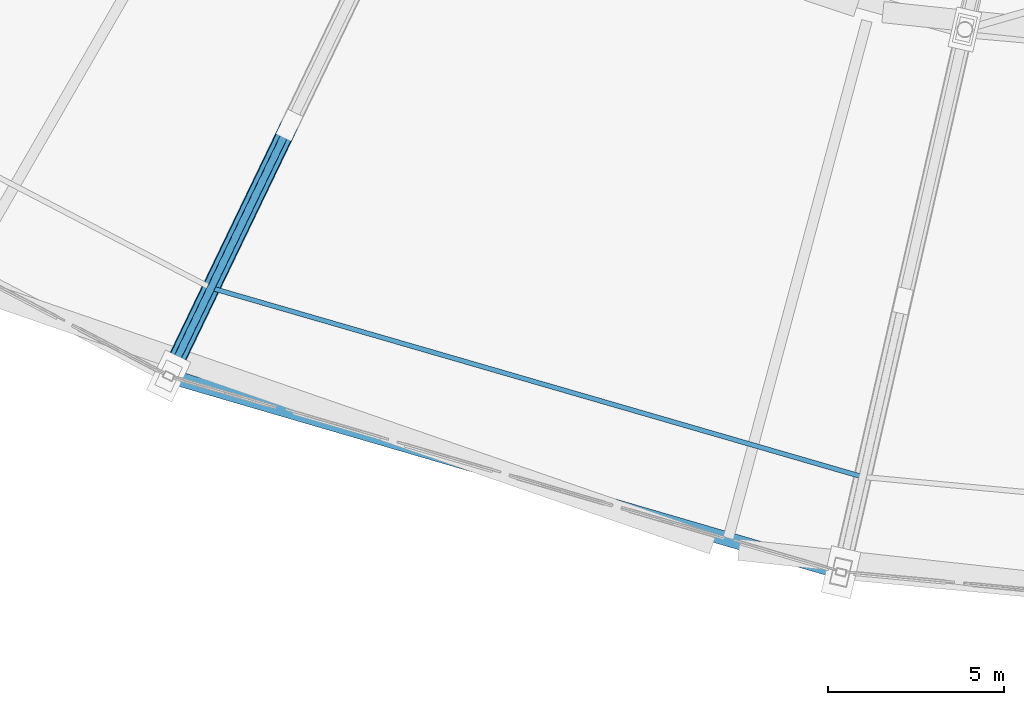
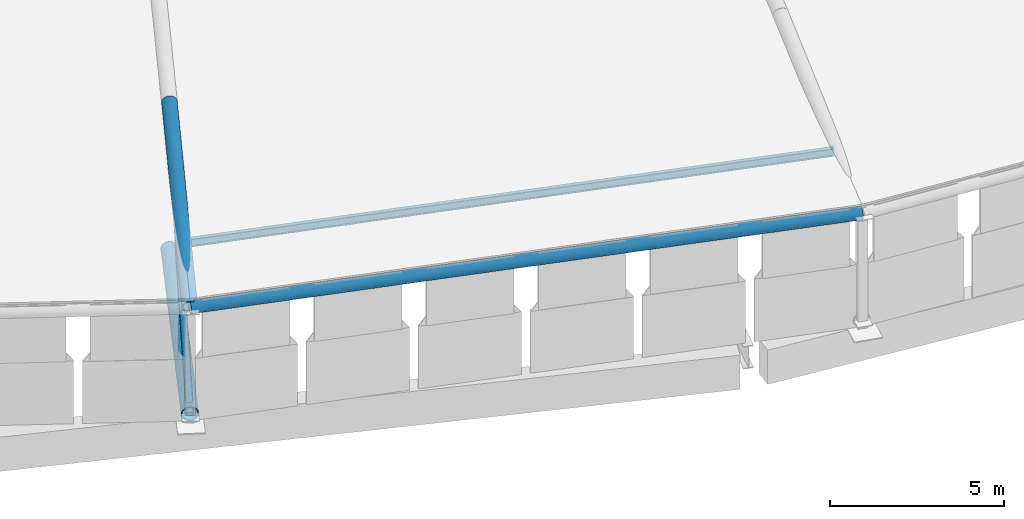
# One storey, part 3 of 108: 5 members.
"""IFC4 building model written with IfcOpenShell, lengths in metres."""

from ifc_helpers import new_model, si_unit, direction, frame, origin, origin_2d, place, context, subcontext, project, spatial, hollow_circle, i_section, extrude, material, material_profile, profile_set, type_object, element, save


model = new_model("IFC4")

# Units and contexts
model_context = context("Model", 3, precision=1e-05, world=origin(), true_north=direction((0.0, 1.0)))
body_context = subcontext(model_context, "Body", "Model", "MODEL_VIEW")
ifc_project = project(units=[si_unit("LENGTHUNIT", "METRE"), si_unit("AREAUNIT", "SQUARE_METRE"), si_unit("VOLUMEUNIT", "CUBIC_METRE"), si_unit("PLANEANGLEUNIT", "RADIAN"), si_unit("MASSUNIT", "GRAM", prefix="KILO")], contexts=[model_context])

# Site, building, storey
site_placement = place(None, origin())
site = spatial("IfcSite", under=ifc_project, at=site_placement, CompositionType="ELEMENT")
building_placement = place(site_placement, origin())
building = spatial("IfcBuilding", under=site, at=building_placement, Name="Zevraka Park Crest Stadium", CompositionType="ELEMENT")
storey_placement = place(building_placement, frame((0.0, 0.0, 29.39990234375)))
storey = spatial("IfcBuildingStorey", under=building, at=storey_placement, Name="RF", CompositionType="ELEMENT", Elevation=29.39990234375)

# Members
ifc_material_1 = material(Name="Steel S355", Category="steel")
ifc_material_profile_1 = material_profile(ifc_material_1, i_section(OverallWidth=0.135009765625, OverallDepth=0.27001953125, WebThickness=0.006591796875, FlangeThickness=0.01025390625, at=origin_2d()), Name="IPE 270")
ifc_profile_set_1 = profile_set([ifc_material_profile_1], Name="Steel S355")
member_type_1 = type_object("IfcMemberType", Name="PR04", PredefinedType="PURLIN", material=ifc_profile_set_1)
member_1_placement = place(storey_placement, frame((74.02392578125, 26.657958984375, 4.302001953125), z_axis=(0.960442835387, -0.27847721622, 0.0), x_axis=(0.27847721622, 0.960442835387, 0.0)))
element("IfcMember", 1, at=member_1_placement, inside=storey, type_object=member_type_1, Name="Canopy Roof Purlin PR04 OUTER-20-1", PredefinedType="PURLIN", context=body_context, shape_type="SweptSolid", body=[
    extrude(i_section(OverallWidth=0.135009765625, OverallDepth=0.27001953125, WebThickness=0.006591796875, FlangeThickness=0.01025390625, at=origin_2d()), origin(), (0.0, 0.0, 1.0), 19.261962890625),
])
ifc_material_2 = material(Name="Steel S355", Category="steel")
ifc_material_profile_2 = material_profile(ifc_material_2, hollow_circle(Radius=0.25390625, WallThickness=0.030029296875, at=origin_2d()), Name="CHS 508.0x30")
ifc_profile_set_2 = profile_set([ifc_material_profile_2], Name="Steel S355")
member_type_2 = type_object("IfcMemberType", Name="TC01", PredefinedType="CHORD", material=ifc_profile_set_2)
member_2_placement = place(storey_placement, frame((72.820068359375, 24.156982421875, 0.25), z_axis=(0.433588503654, 0.90031143252, 0.037951732141), x_axis=(-0.90096050834, 0.4339010975, 0.0)))
element("IfcMember", 2, at=member_2_placement, inside=storey, type_object=member_type_2, Name="Roof Truss Bottom Chord TC01 T20-1", PredefinedType="CHORD", context=body_context, shape_type="SweptSolid", body=[
    extrude(hollow_circle(Radius=0.25390625, WallThickness=0.030029296875, at=origin_2d()), origin(), (0.0, 0.0, 1.0), 7.906005859375),
])
ifc_material_3 = material(Name="Steel S355", Category="steel")
ifc_material_profile_3 = material_profile(ifc_material_3, hollow_circle(Radius=0.228515625, WallThickness=0.02490234375, at=origin_2d()), Name="CHS 457.0x25")
ifc_profile_set_3 = profile_set([ifc_material_profile_3], Name="Steel S355")
member_type_3 = type_object("IfcMemberType", Name="TC02", PredefinedType="CHORD", material=ifc_profile_set_3)
member_3_placement = place(storey_placement, frame((72.820068359375, 24.156982421875, 4.0), z_axis=(0.424189522612, 0.880795209155, 0.210387852394), x_axis=(-0.90096050834, 0.4339010975, 0.0)))
element("IfcMember", 3, at=member_3_placement, inside=storey, type_object=member_type_3, Name="Roof Truss Top Chord TC02 T20-1", PredefinedType="CHORD", context=body_context, shape_type="SweptSolid", body=[
    extrude(hollow_circle(Radius=0.228515625, WallThickness=0.02490234375, at=origin_2d()), origin(), (0.0, 0.0, 1.0), 8.081298828125),
])
ifc_material_4 = material(Name="Steel S355", Category="steel")
ifc_material_profile_4 = material_profile(ifc_material_4, hollow_circle(Radius=0.203125, WallThickness=0.02001953125, at=origin_2d()), Name="CHS 406.4x20")
ifc_profile_set_4 = profile_set([ifc_material_profile_4], Name="Steel S355")
member_type_4 = type_object("IfcMemberType", Name="TC03", PredefinedType="CHORD", material=ifc_profile_set_4)
member_4_placement = place(storey_placement, frame((72.820068359375, 24.156982421875, 4.0), z_axis=(0.959968086518, -0.280109394463, 0.0), x_axis=(0.280109394463, 0.959968086518, 0.0)))
element("IfcMember", 4, at=member_4_placement, inside=storey, type_object=member_type_4, Name="Roof Outer Canopy Ring Chord TC03 20", PredefinedType="CHORD", context=body_context, shape_type="SweptSolid", body=[
    extrude(hollow_circle(Radius=0.203125, WallThickness=0.02001953125, at=origin_2d()), origin(), (0.0, 0.0, 1.0), 19.8818359375),
])
ifc_material_5 = material(Name="Steel S355", Category="steel")
ifc_material_profile_5 = material_profile(ifc_material_5, hollow_circle(Radius=0.109619140625, WallThickness=0.010009765625, at=origin_2d()), Name="CHS 219.1x10")
ifc_profile_set_5 = profile_set([ifc_material_profile_5], Name="Steel S355")
member_type_5 = type_object("IfcMemberType", Name="WB02", PredefinedType="BRACE", material=ifc_profile_set_5)
member_5_placement = place(storey_placement, frame((72.820068359375, 24.156982421875, 0.25), z_axis=(0.357157740479, 0.741609139212, 0.567850537601), x_axis=(-0.90096050834, 0.4339010975, 0.0)))
element("IfcMember", 5, at=member_5_placement, inside=storey, type_object=member_type_5, Name="Roof Truss Web Diagonal WB02 T20-1", PredefinedType="BRACE", context=body_context, shape_type="SweptSolid", body=[
    extrude(hollow_circle(Radius=0.109619140625, WallThickness=0.010009765625, at=origin_2d()), origin(), (0.0, 0.0, 1.0), 9.597900390625),
])

save(model, "model.ifc")
